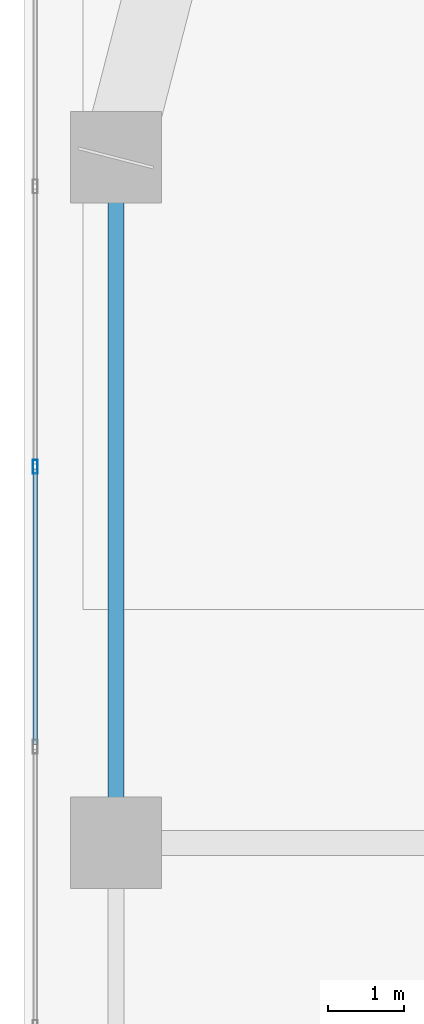
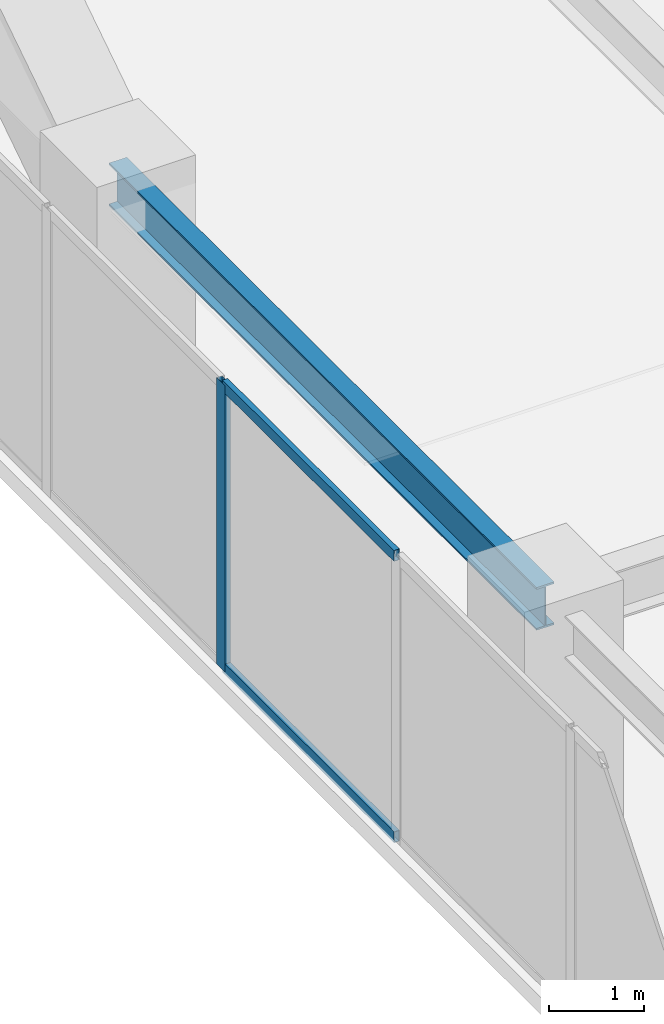
# One storey, part 7 of 30: 3 members, 1 beam, 1 element without a shape of its own.
"""IFC4 building model written with IfcOpenShell, lengths in metres."""

from ifc_helpers import new_model, si_unit, direction, frame, origin, origin_2d, place, context, subcontext, project, spatial, hollow_rectangle, i_section, extrude, material, layer, layer_set, material_profile, profile_set, type_object, element, aggregate, save


model = new_model("IFC4")

# Units and contexts
model_context = context("Model", 3, precision=1e-05, world=origin(), true_north=direction((0.0, 1.0)))
body_context = subcontext(model_context, "Body", "Model", "MODEL_VIEW")
ifc_project = project(units=[si_unit("LENGTHUNIT", "METRE"), si_unit("AREAUNIT", "SQUARE_METRE"), si_unit("VOLUMEUNIT", "CUBIC_METRE"), si_unit("PLANEANGLEUNIT", "RADIAN"), si_unit("MASSUNIT", "GRAM", prefix="KILO")], contexts=[model_context])

# Site, building, storey
site_placement = place(None, origin())
site = spatial("IfcSite", under=ifc_project, at=site_placement, CompositionType="ELEMENT")
building_placement = place(site_placement, origin())
building = spatial("IfcBuilding", under=site, at=building_placement, Name="Kiyonajd Concourse Tower", CompositionType="ELEMENT")
storey_placement = place(building_placement, frame((0.0, 0.0, 162.300048828125)))
storey = spatial("IfcBuildingStorey", under=building, at=storey_placement, Name="L41", CompositionType="ELEMENT", Elevation=162.300048828125)

# Beam
ifc_material_1 = material(Name="Steel ASTM A992 Grade 50", Category="steel")
ifc_material_profile_1 = material_profile(ifc_material_1, i_section(OverallWidth=0.214111328125, OverallDepth=0.549072265625, WebThickness=0.0146484375, FlangeThickness=0.023681640625, at=origin_2d()), Name="W530X138")
ifc_profile_set_1 = profile_set([ifc_material_profile_1], Name="Steel ASTM A992 Grade 50")
beam_type = type_object("IfcBeamType", Name="BM-SPAN-530A", PredefinedType="SPANDREL", material=ifc_profile_set_1)
beam_placement = place(storey_placement, frame((19.199951171875, 53.39990234375, 3.405517578125), z_axis=(0.0, -1.0, 0.0), x_axis=(1.0, 0.0, 0.0)))
element("IfcBeam", 1, at=beam_placement, inside=storey, type_object=beam_type, Name="L41 Perimeter Bundled Tube Spandrel", PredefinedType="SPANDREL", context=body_context, shape_type="SweptSolid", body=[
    extrude(i_section(OverallWidth=0.214111328125, OverallDepth=0.549072265625, WebThickness=0.0146484375, FlangeThickness=0.023681640625, at=origin_2d()), origin(), (0.0, 0.0, 1.0), 9.0),
])

# Curtain wall, members
ifc_material_2 = material(Name="Thermally Broken Anodised Aluminium", Category="aluminium")
ifc_layer = layer(ifc_material_2, 0.179931640625)
ifc_layer_set = layer_set([ifc_layer], Name="Thermally Broken Anodised Aluminium")
curtain_wall_type = type_object("IfcCurtainWallType", Name="CW-SYS-03", PredefinedType="NOTDEFINED", material=ifc_layer_set)
curtain_wall_placement = place(storey_placement, origin())
curtain_wall = element("IfcCurtainWall", 2, at=curtain_wall_placement, inside=storey, type_object=curtain_wall_type, Name="L41 Unitised Curtain Wall CW3", PredefinedType="NOTDEFINED")
ifc_material_profile_2 = material_profile(ifc_material_2, hollow_rectangle(XDim=0.06494140625, YDim=0.179931640625, WallThickness=0.00390625, at=origin_2d()), Name="MULL-65x180")
ifc_profile_set_2 = profile_set([ifc_material_profile_2], Name="Thermally Broken Anodised Aluminium")
member_type_1 = type_object("IfcMemberType", Name="MB-CW-MULL1", PredefinedType="MULLION", material=ifc_profile_set_2)
member_1_placement = place(storey_placement, frame((18.139892578125, 49.337646484375, 0.0), z_axis=(0.0, 0.0, 1.0), x_axis=(-1.0, 0.0, 0.0)))
member_1 = element("IfcMember", 3, at=member_1_placement, type_object=member_type_1, Name="CW3 mullion 5", PredefinedType="MULLION", context=body_context, shape_type="SweptSolid", body=[
    extrude(hollow_rectangle(XDim=0.06494140625, YDim=0.179931640625, WallThickness=0.00390625, at=origin_2d()), origin(), (0.0, 0.0, 1.0), 3.679931640625),
])
ifc_material_profile_3 = material_profile(ifc_material_2, hollow_rectangle(XDim=0.06494140625, YDim=0.139892578125, WallThickness=0.00390625, at=origin_2d()), Name="TRAN-65x140")
ifc_profile_set_3 = profile_set([ifc_material_profile_3], Name="Thermally Broken Anodised Aluminium")
member_type_2 = type_object("IfcMemberType", Name="MB-CW-TRAN1", PredefinedType="USERDEFINED", material=ifc_profile_set_3)
member_2_placement = place(storey_placement, frame((18.139892578125, 45.693359375, 0.032470703125), z_axis=(0.0, 1.0, 0.0), x_axis=(-1.0, 0.0, 0.0)))
member_2 = element("IfcMember", 4, at=member_2_placement, type_object=member_type_2, Name="CW3 transom 4.1", ObjectType="TRANSOM", PredefinedType="USERDEFINED", context=body_context, shape_type="SweptSolid", body=[
    extrude(hollow_rectangle(XDim=0.06494140625, YDim=0.139892578125, WallThickness=0.00390625, at=origin_2d()), origin(), (0.0, 0.0, 1.0), 3.61181640625),
])
member_3_placement = place(storey_placement, frame((18.139892578125, 45.693359375, 3.6474609375), z_axis=(0.0, 1.0, 0.0), x_axis=(-1.0, 0.0, 0.0)))
member_3 = element("IfcMember", 5, at=member_3_placement, type_object=member_type_2, Name="CW3 transom 4.2", ObjectType="TRANSOM", PredefinedType="USERDEFINED", context=body_context, shape_type="SweptSolid", body=[
    extrude(hollow_rectangle(XDim=0.06494140625, YDim=0.139892578125, WallThickness=0.00390625, at=origin_2d()), origin(), (0.0, 0.0, 1.0), 3.61181640625),
])
aggregate(curtain_wall, [member_1, member_2, member_3])

save(model, "model.ifc")
